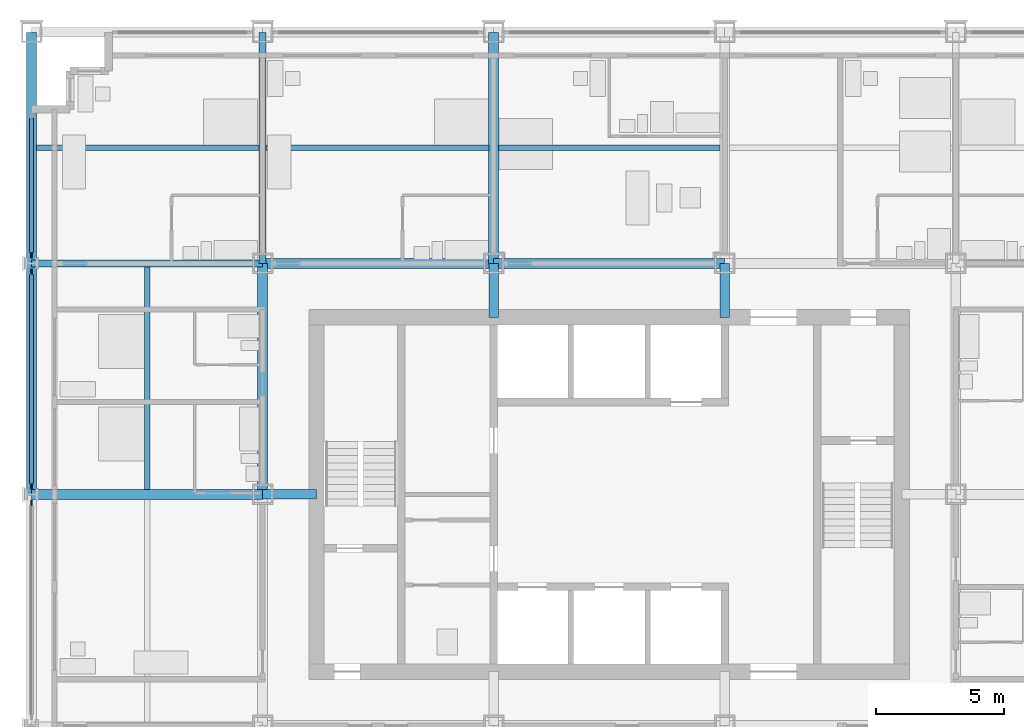
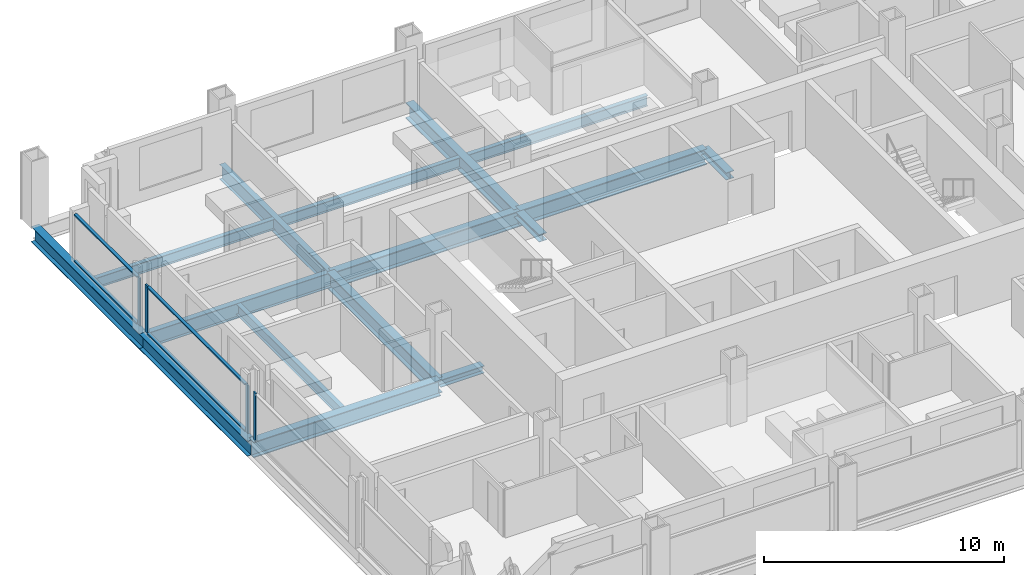
# One storey, part 4 of 16: 13 beams, 11 members, 3 elements without a shape of their own.
"""IFC4 building model written with IfcOpenShell, lengths in metres."""

from ifc_helpers import new_model, si_unit, direction, frame, origin, origin_2d, place, context, subcontext, project, spatial, rectangle, i_section, extrude, material, material_profile, profile_set, type_object, element, aggregate, save


model = new_model("IFC4")

# Units and contexts
model_context = context("Model", 3, precision=1e-05, world=origin(), true_north=direction((0.0, 1.0)))
body_context = subcontext(model_context, "Body", "Model", "MODEL_VIEW")
ifc_project = project(units=[si_unit("LENGTHUNIT", "METRE"), si_unit("AREAUNIT", "SQUARE_METRE"), si_unit("VOLUMEUNIT", "CUBIC_METRE"), si_unit("PLANEANGLEUNIT", "RADIAN"), si_unit("MASSUNIT", "GRAM", prefix="KILO")], contexts=[model_context])

# Site, building, storey
site_placement = place(None, origin())
site = spatial("IfcSite", under=ifc_project, at=site_placement, CompositionType="ELEMENT")
building_placement = place(site_placement, origin())
building = spatial("IfcBuilding", under=site, at=building_placement, Name="Loomwork Tower", CompositionType="ELEMENT")
storey_placement = place(building_placement, frame((0.0, 0.0, 118.0)))
storey = spatial("IfcBuildingStorey", under=building, at=storey_placement, Name="L31", CompositionType="ELEMENT", Elevation=118.0)

# Beams
ifc_material_1 = material(Name="Steel ASTM A992", Category="steel")
ifc_material_profile_1 = material_profile(ifc_material_1, i_section(OverallWidth=0.383544921875, OverallDepth=0.794921875, WebThickness=0.02099609375, FlangeThickness=0.0380859375, at=origin_2d()), Name="W30x235")
ifc_profile_set_1 = profile_set([ifc_material_profile_1], Name="Steel ASTM A992")
beam_type_1 = type_object("IfcBeamType", Name="CORE FLANK GIRDER W30x235", PredefinedType="BEAM", material=ifc_profile_set_1)
for number, where, z_axis, x_axis, name in (
    (1, (0.0, 18.0, -0.597412109375), (1.0, 0.0, 0.0), (0.0, 1.0, 0.0), "Core Flank Girder F/2-F/3 L31"),
    (2, (9.0, 27.0, -0.597412109375), (1.0, 0.0, 0.0), (0.0, 1.0, 0.0), "Core Flank Girder G/3-G/4 L31"),
    (3, (18.0, 27.0, -0.597412109375), (1.0, 0.0, 0.0), (0.0, 1.0, 0.0), "Core Flank Girder G/4-G/5 L31"),
    (4, (9.0, 18.0, -0.597412109375), (0.0, 1.0, 0.0), (-1.0, 0.0, 0.0), "Core Flank Girder F/3-G/3 L31"),
    (5, (18.0, 27.0, -0.597412109375), (0.0, 1.0, 0.0), (-1.0, 0.0, 0.0), "Core Flank Girder G/4-H/4 L31"),
):
    element("IfcBeam", number, at=place(storey_placement, frame(where, z_axis=z_axis, x_axis=x_axis)), inside=storey, type_object=beam_type_1, Name=name, PredefinedType="BEAM", context=body_context, shape_type="SweptSolid", body=[
        extrude(i_section(OverallWidth=0.383544921875, OverallDepth=0.794921875, WebThickness=0.02099609375, FlangeThickness=0.0380859375, at=origin_2d()), origin(), (0.0, 0.0, 1.0), 9.0),
    ])

# Members
ifc_material_2 = material(Name="Steel ASTM A992", Category="steel")
ifc_material_profile_2 = material_profile(ifc_material_2, i_section(OverallWidth=0.373291015625, OverallDepth=0.373291015625, WebThickness=0.016357421875, FlangeThickness=0.026123046875, at=origin_2d()), Name="W14x132")
ifc_profile_set_2 = profile_set([ifc_material_profile_2], Name="Steel ASTM A992")
member_type_1 = type_object("IfcMemberType", Name="CORE LINK STRUT W14x132", PredefinedType="STRUT", material=ifc_profile_set_2)
for number, where, z_axis, x_axis, name in (
    (6, (27.0, 27.0, -0.38671875), (0.0, -1.0, 0.0), (1.0, 0.0, 0.0), "Core link strut G/5-27.000,24.900 L31"),
    (7, (18.0, 27.0, -0.38671875), (0.0, -1.0, 0.0), (1.0, 0.0, 0.0), "Core link strut G/4-18.000,24.900 L31"),
    (8, (9.0, 18.0, -0.38671875), (1.0, 0.0, 0.0), (0.0, 1.0, 0.0), "Core link strut F/3-11.100,18.000 L31"),
):
    element("IfcMember", number, at=place(storey_placement, frame(where, z_axis=z_axis, x_axis=x_axis)), inside=storey, type_object=member_type_1, Name=name, PredefinedType="STRUT", context=body_context, shape_type="SweptSolid", body=[
        extrude(i_section(OverallWidth=0.373291015625, OverallDepth=0.373291015625, WebThickness=0.016357421875, FlangeThickness=0.026123046875, at=origin_2d()), origin(), (0.0, 0.0, 1.0), 2.10009765625),
    ])

# Beams
ifc_material_3 = material(Name="Steel ASTM A992", Category="steel")
ifc_material_profile_3 = material_profile(ifc_material_3, i_section(OverallWidth=0.2666015625, OverallDepth=0.761962890625, WebThickness=0.014404296875, FlangeThickness=0.021484375, at=origin_2d()), Name="W30x116")
ifc_profile_set_3 = profile_set([ifc_material_profile_3], Name="Steel ASTM A992")
beam_type_2 = type_object("IfcBeamType", Name="FLOOR GIRDER W30x116", PredefinedType="BEAM", material=ifc_profile_set_3)
for number, where, z_axis, x_axis, name in (
    (9, (0.0, 27.0, -0.5810546875), (1.0, 0.0, 0.0), (0.0, 1.0, 0.0), "Floor Girder G/2-G/3 L31"),
    (10, (9.0, 27.0, -0.5810546875), (0.0, 1.0, 0.0), (-1.0, 0.0, 0.0), "Floor Girder G/3-H/3 L31"),
):
    element("IfcBeam", number, at=place(storey_placement, frame(where, z_axis=z_axis, x_axis=x_axis)), inside=storey, type_object=beam_type_2, Name=name, PredefinedType="BEAM", context=body_context, shape_type="SweptSolid", body=[
        extrude(i_section(OverallWidth=0.2666015625, OverallDepth=0.761962890625, WebThickness=0.014404296875, FlangeThickness=0.021484375, at=origin_2d()), origin(), (0.0, 0.0, 1.0), 9.0),
    ])
ifc_material_4 = material(Name="Steel ASTM A992", Category="steel")
ifc_material_profile_4 = material_profile(ifc_material_4, i_section(OverallWidth=0.2109375, OverallDepth=0.53857421875, WebThickness=0.011474609375, FlangeThickness=0.018798828125, at=origin_2d()), Name="W21x73")
ifc_profile_set_4 = profile_set([ifc_material_profile_4], Name="Steel ASTM A992")
beam_type_3 = type_object("IfcBeamType", Name="FLOOR JOIST W21x73", PredefinedType="JOIST", material=ifc_profile_set_4)
beam_1_placement = place(storey_placement, frame((4.5, 18.19091796875, -0.46923828125), z_axis=(0.0, 1.0, 0.0), x_axis=(-1.0, 0.0, 0.0)))
element("IfcBeam", 11, at=beam_1_placement, inside=storey, type_object=beam_type_3, Name="Floor Joist 4.500,18.000-4.500,27.000 L31", PredefinedType="JOIST", context=body_context, shape_type="SweptSolid", body=[
    extrude(i_section(OverallWidth=0.2109375, OverallDepth=0.53857421875, WebThickness=0.011474609375, FlangeThickness=0.018798828125, at=origin_2d()), origin(), (0.0, 0.0, 1.0), 8.676025390625),
])
beam_2_placement = place(storey_placement, frame((0.18994140625, 31.5, -0.46923828125), z_axis=(1.0, 0.0, 0.0), x_axis=(0.0, 1.0, 0.0)))
element("IfcBeam", 12, at=beam_2_placement, inside=storey, type_object=beam_type_3, Name="Floor Joist 0.000,31.500-9.000,31.500 L31", PredefinedType="JOIST", context=body_context, shape_type="SweptSolid", body=[
    extrude(i_section(OverallWidth=0.2109375, OverallDepth=0.53857421875, WebThickness=0.011474609375, FlangeThickness=0.018798828125, at=origin_2d()), origin(), (0.0, 0.0, 1.0), 8.677001953125),
])
beam_3_placement = place(storey_placement, frame((9.133056640625, 31.5, -0.46923828125), z_axis=(1.0, 0.0, 0.0), x_axis=(0.0, 1.0, 0.0)))
element("IfcBeam", 13, at=beam_3_placement, inside=storey, type_object=beam_type_3, Name="Floor Joist 9.000,31.500-18.000,31.500 L31", PredefinedType="JOIST", context=body_context, shape_type="SweptSolid", body=[
    extrude(i_section(OverallWidth=0.2109375, OverallDepth=0.53857421875, WebThickness=0.011474609375, FlangeThickness=0.018798828125, at=origin_2d()), origin(), (0.0, 0.0, 1.0), 8.676025390625),
])
beam_4_placement = place(storey_placement, frame((18.19091796875, 31.5, -0.46923828125), z_axis=(1.0, 0.0, 0.0), x_axis=(0.0, 1.0, 0.0)))
element("IfcBeam", 14, at=beam_4_placement, inside=storey, type_object=beam_type_3, Name="Floor Joist 18.000,31.500-27.000,31.500 L31", PredefinedType="JOIST", context=body_context, shape_type="SweptSolid", body=[
    extrude(i_section(OverallWidth=0.2109375, OverallDepth=0.53857421875, WebThickness=0.011474609375, FlangeThickness=0.018798828125, at=origin_2d()), origin(), (0.0, 0.0, 1.0), 8.6181640625),
])

# Curtain wall, member
ifc_material_5 = material(Name="Aluminium curtain wall frame", Category="aluminium")
curtain_wall_type = type_object("IfcCurtainWallType", Name="Outer skin glazing hotel", PredefinedType="NOTDEFINED", material=ifc_material_5)
curtain_wall_1_placement = place(storey_placement, origin())
curtain_wall_1 = element("IfcCurtainWall", 15, at=curtain_wall_1_placement, inside=storey, type_object=curtain_wall_type, Name="Outer skin glazing hotel cw/W-9", PredefinedType="NOTDEFINED")
ifc_material_6 = material(Name="Aluminium curtain wall frame", Category="aluminium")
ifc_material_profile_5 = material_profile(ifc_material_6, rectangle(XDim=0.06494140625, YDim=0.199951171875, at=origin_2d()), Name="AL 65x200")
ifc_profile_set_5 = profile_set([ifc_material_profile_5], Name="Aluminium curtain wall frame")
member_type_2 = type_object("IfcMemberType", Name="Outer skin glazing hotel mullion", PredefinedType="MULLION", material=ifc_profile_set_5)
member_1_placement = place(storey_placement, frame((0.0, 17.67529296875, 0.0), z_axis=(0.0, 0.0, 1.0), x_axis=(1.0, 0.0, 0.0)))
member_1 = element("IfcMember", 16, at=member_1_placement, type_object=member_type_2, Name="CW1 mullion 1", PredefinedType="MULLION", context=body_context, shape_type="SweptSolid", body=[
    extrude(rectangle(XDim=0.06494140625, YDim=0.199951171875, at=origin_2d()), origin(), (0.0, 0.0, 1.0), 2.420166015625),
])
aggregate(curtain_wall_1, [member_1])

# Curtain wall, members
curtain_wall_2_placement = place(storey_placement, origin())
curtain_wall_2 = element("IfcCurtainWall", 17, at=curtain_wall_2_placement, inside=storey, type_object=curtain_wall_type, Name="Outer skin glazing hotel cw/W-18", PredefinedType="NOTDEFINED")
member_2_placement = place(storey_placement, frame((0.0, 26.67529296875, 0.0), z_axis=(0.0, 0.0, 1.0), x_axis=(1.0, 0.0, 0.0)))
member_2 = element("IfcMember", 18, at=member_2_placement, type_object=member_type_2, Name="CW1 mullion 1", PredefinedType="MULLION", context=body_context, shape_type="SweptSolid", body=[
    extrude(rectangle(XDim=0.06494140625, YDim=0.199951171875, at=origin_2d()), origin(), (0.0, 0.0, 1.0), 2.420166015625),
])
member_3_placement = place(storey_placement, frame((0.0, 18.32470703125, 0.0), z_axis=(0.0, 0.0, 1.0), x_axis=(1.0, 0.0, 0.0)))
member_3 = element("IfcMember", 19, at=member_3_placement, type_object=member_type_2, Name="CW1 mullion 2", PredefinedType="MULLION", context=body_context, shape_type="SweptSolid", body=[
    extrude(rectangle(XDim=0.06494140625, YDim=0.199951171875, at=origin_2d()), origin(), (0.0, 0.0, 1.0), 2.420166015625),
])

# Curtain wall, member
curtain_wall_3_placement = place(storey_placement, origin())
curtain_wall_3 = element("IfcCurtainWall", 20, at=curtain_wall_3_placement, inside=storey, type_object=curtain_wall_type, Name="Outer skin glazing hotel cw/W-27", PredefinedType="NOTDEFINED")
member_4_placement = place(storey_placement, frame((0.0, 27.32470703125, 0.0), z_axis=(0.0, 0.0, 1.0), x_axis=(1.0, 0.0, 0.0)))
member_4 = element("IfcMember", 21, at=member_4_placement, type_object=member_type_2, Name="CW1 mullion 2", PredefinedType="MULLION", context=body_context, shape_type="SweptSolid", body=[
    extrude(rectangle(XDim=0.06494140625, YDim=0.199951171875, at=origin_2d()), origin(), (0.0, 0.0, 1.0), 2.420166015625),
])

# Member
ifc_material_7 = material(Name="Aluminium curtain wall frame", Category="aluminium")
ifc_material_profile_6 = material_profile(ifc_material_7, rectangle(XDim=0.14990234375, YDim=0.06494140625, at=origin_2d()), Name="AL 65x150")
ifc_profile_set_6 = profile_set([ifc_material_profile_6], Name="Aluminium curtain wall frame")
member_type_3 = type_object("IfcMemberType", Name="Outer skin glazing hotel transom", PredefinedType="USERDEFINED", material=ifc_profile_set_6)
member_5_placement = place(storey_placement, frame((0.0, 26.5751953125, 0.032470703125), z_axis=(0.0, -1.0, 0.0), x_axis=(1.0, 0.0, 0.0)))
member_5 = element("IfcMember", 22, at=member_5_placement, type_object=member_type_3, Name="CW1 transom 1.1", ObjectType="TRANSOM", PredefinedType="USERDEFINED", context=body_context, shape_type="SweptSolid", body=[
    extrude(rectangle(XDim=0.14990234375, YDim=0.06494140625, at=origin_2d()), origin(), (0.0, 0.0, 1.0), 8.150390625),
])

member_6_placement = place(storey_placement, frame((0.0, 26.5751953125, 2.3876953125), z_axis=(0.0, -1.0, 0.0), x_axis=(1.0, 0.0, 0.0)))
member_6 = element("IfcMember", 23, at=member_6_placement, type_object=member_type_3, Name="CW1 transom 1.2", ObjectType="TRANSOM", PredefinedType="USERDEFINED", context=body_context, shape_type="SweptSolid", body=[
    extrude(rectangle(XDim=0.14990234375, YDim=0.06494140625, at=origin_2d()), origin(), (0.0, 0.0, 1.0), 8.150390625),
])

aggregate(curtain_wall_2, [member_2, member_3, member_5, member_6])

member_7_placement = place(storey_placement, frame((0.0, 32.64990234375, 0.032470703125), z_axis=(0.0, -1.0, 0.0), x_axis=(1.0, 0.0, 0.0)))
member_7 = element("IfcMember", 24, at=member_7_placement, type_object=member_type_3, Name="CW1 transom 1.1", ObjectType="TRANSOM", PredefinedType="USERDEFINED", context=body_context, shape_type="SweptSolid", body=[
    extrude(rectangle(XDim=0.14990234375, YDim=0.06494140625, at=origin_2d()), origin(), (0.0, 0.0, 1.0), 5.22509765625),
])

member_8_placement = place(storey_placement, frame((0.0, 32.64990234375, 2.3876953125), z_axis=(0.0, -1.0, 0.0), x_axis=(1.0, 0.0, 0.0)))
member_8 = element("IfcMember", 25, at=member_8_placement, type_object=member_type_3, Name="CW1 transom 1.2", ObjectType="TRANSOM", PredefinedType="USERDEFINED", context=body_context, shape_type="SweptSolid", body=[
    extrude(rectangle(XDim=0.14990234375, YDim=0.06494140625, at=origin_2d()), origin(), (0.0, 0.0, 1.0), 5.22509765625),
])

aggregate(curtain_wall_3, [member_4, member_7, member_8])

# Beams
ifc_material_8 = material(Name="Steel ASTM A992", Category="steel")
ifc_material_profile_7 = material_profile(ifc_material_8, i_section(OverallWidth=0.381103515625, OverallDepth=0.77978515625, WebThickness=0.01806640625, FlangeThickness=0.0302734375, at=origin_2d()), Name="W30x191")
ifc_profile_set_7 = profile_set([ifc_material_profile_7], Name="Steel ASTM A992")
beam_type_4 = type_object("IfcBeamType", Name="SPANDREL GIRDER W30x191", PredefinedType="SPANDREL", material=ifc_profile_set_7)
for number, where, z_axis, x_axis, name in (
    (26, (0.0, 18.0, -0.58984375), (0.0, 1.0, 0.0), (-1.0, 0.0, 0.0), "Spandrel Girder F/2-G/2 L31"),
    (27, (0.0, 27.0, -0.58984375), (0.0, 1.0, 0.0), (-1.0, 0.0, 0.0), "Spandrel Girder G/2-H/2 L31"),
):
    element("IfcBeam", number, at=place(storey_placement, frame(where, z_axis=z_axis, x_axis=x_axis)), inside=storey, type_object=beam_type_4, Name=name, PredefinedType="SPANDREL", context=body_context, shape_type="SweptSolid", body=[
        extrude(i_section(OverallWidth=0.381103515625, OverallDepth=0.77978515625, WebThickness=0.01806640625, FlangeThickness=0.0302734375, at=origin_2d()), origin(), (0.0, 0.0, 1.0), 9.0),
    ])

save(model, "model.ifc")
